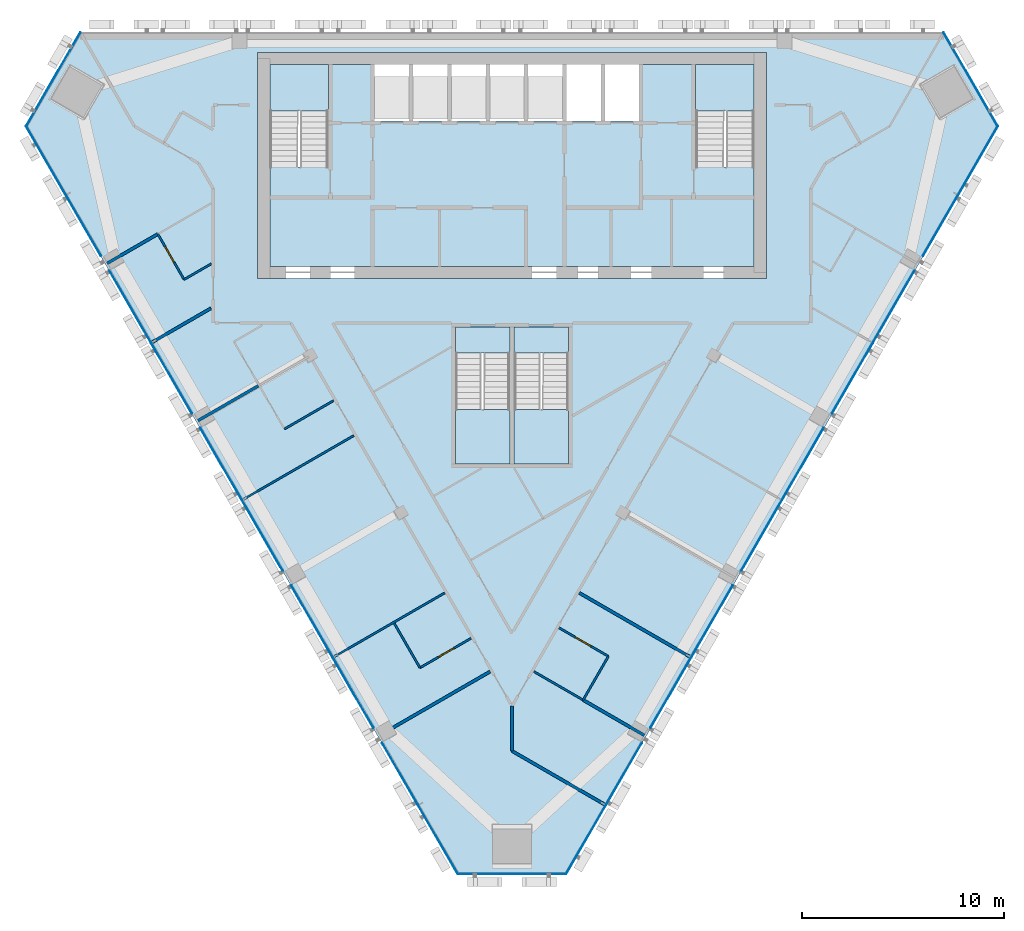
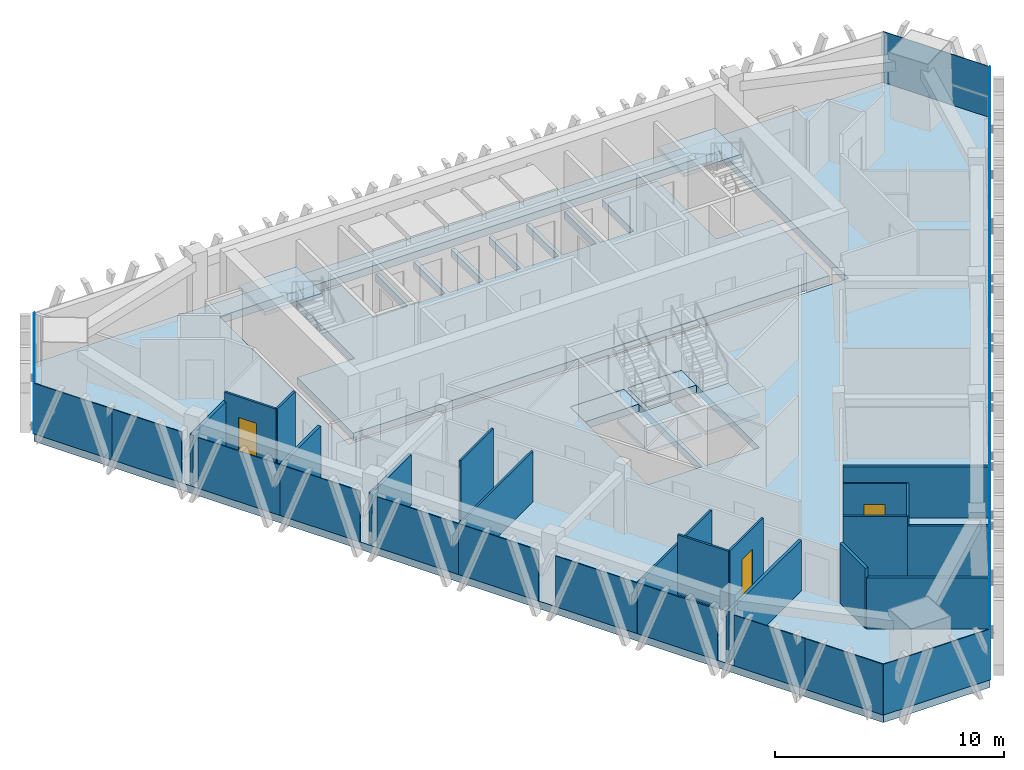
# One storey, part 7 of 14: 23 plates, 18 walls, 8 slabs, 3 doors, 3 openings, 9 elements without a shape of their own.
"""IFC4 building model written with IfcOpenShell, lengths in metres."""

from ifc_helpers import new_model, si_unit, direction, frame, frame_2d, origin, origin_2d, place, context, subcontext, project, spatial, polyline, rectangle, outline, extrude, material, layer, layer_set, type_object, element, fill, aggregate, save


model = new_model("IFC4")

# Units and contexts
model_context = context("Model", 3, precision=1e-05, world=origin(), true_north=direction((0.0, 1.0)))
body_context = subcontext(model_context, "Body", "Model", "MODEL_VIEW")
ifc_project = project(units=[si_unit("LENGTHUNIT", "METRE"), si_unit("AREAUNIT", "SQUARE_METRE"), si_unit("VOLUMEUNIT", "CUBIC_METRE"), si_unit("PLANEANGLEUNIT", "RADIAN"), si_unit("MASSUNIT", "GRAM", prefix="KILO")], contexts=[model_context])

# Site, building, storey
site_placement = place(None, origin())
site = spatial("IfcSite", under=ifc_project, at=site_placement, CompositionType="ELEMENT")
building_placement = place(site_placement, origin())
building = spatial("IfcBuilding", under=site, at=building_placement, Name="Altiplano Prism Tower", CompositionType="ELEMENT")
storey_placement = place(building_placement, frame((0.0, 0.0, 242.800048828125)))
storey = spatial("IfcBuildingStorey", under=building, at=storey_placement, Name="L62", CompositionType="ELEMENT", Elevation=242.800048828125)

# Curtain wall, plate
ifc_material_1 = material(Name="Aluminium and glass", Category="aluminium")
ifc_layer_1 = layer(ifc_material_1, 0.280029296875)
ifc_layer_set_1 = layer_set([ifc_layer_1], Name="Aluminium and glass")
curtain_wall_type = type_object("IfcCurtainWallType", Name="CW1 typical co-living unitised curtain wall", PredefinedType="NOTDEFINED", material=ifc_layer_set_1)
curtain_wall_1_placement = place(storey_placement, origin())
curtain_wall_1 = element("IfcCurtainWall", 1, at=curtain_wall_1_placement, inside=storey, type_object=curtain_wall_type, Name="CW1 curtain wall north-west chamfer L62", PredefinedType="NOTDEFINED")
ifc_material_2 = material(Name="Clear glass", Category="glass")
ifc_layer_2 = layer(ifc_material_2, 0.0400390625)
ifc_layer_set_2 = layer_set([ifc_layer_2], Name="Clear glass")
plate_type = type_object("IfcPlateType", Name="CW1 insulated glass unit 40", PredefinedType="CURTAIN_PANEL", material=ifc_layer_set_2)
plate_1_placement = place(storey_placement, frame((62.273681640625, 102.65771484375, 0.0), z_axis=(0.0, 0.0, 1.0), x_axis=(-0.500000014359, -0.866025395494, 0.0)))
plate_1 = element("IfcPlate", 2, at=plate_1_placement, type_object=plate_type, Name="CW1 panel", PredefinedType="CURTAIN_PANEL", context=body_context, shape_type="SweptSolid", body=[
    extrude(rectangle(XDim=5.3759765625, YDim=0.0400390625, at=origin_2d()), origin(), (0.0, 0.0, 1.0), 2.699951171875),
])
aggregate(curtain_wall_1, [plate_1])

# Curtain wall, plates
curtain_wall_2_placement = place(storey_placement, origin())
curtain_wall_2 = element("IfcCurtainWall", 3, at=curtain_wall_2_placement, inside=storey, type_object=curtain_wall_type, Name="CW1 curtain wall south-west face L62", PredefinedType="NOTDEFINED")
plate_2_placement = place(storey_placement, frame((61.914306640625, 98.6357421875, 0.0), z_axis=(0.0, 0.0, 1.0), x_axis=(0.500000003718, -0.866025401638, 0.0)))
plate_2 = element("IfcPlate", 4, at=plate_2_placement, type_object=plate_type, Name="CW1 panel", PredefinedType="CURTAIN_PANEL", context=body_context, shape_type="SweptSolid", body=[
    extrude(rectangle(XDim=3.9384765625, YDim=0.0400390625, at=origin_2d()), origin(), (0.0, 0.0, 1.0), 2.699951171875),
])
plate_3_placement = place(storey_placement, frame((63.77490234375, 95.4130859375, 0.0), z_axis=(0.0, 0.0, 1.0), x_axis=(0.500000003718, -0.866025401638, 0.0)))
plate_3 = element("IfcPlate", 5, at=plate_3_placement, type_object=plate_type, Name="CW1 panel", PredefinedType="CURTAIN_PANEL", context=body_context, shape_type="SweptSolid", body=[
    extrude(rectangle(XDim=3.484130859375, YDim=0.0400390625, at=origin_2d()), origin(), (0.0, 0.0, 1.0), 2.699951171875),
])
plate_4_placement = place(storey_placement, frame((66.0947265625, 91.395263671875, 0.0), z_axis=(0.0, 0.0, 1.0), x_axis=(0.500000003718, -0.866025401638, 0.0)))
plate_4 = element("IfcPlate", 6, at=plate_4_placement, type_object=plate_type, Name="CW1 panel", PredefinedType="CURTAIN_PANEL", context=body_context, shape_type="SweptSolid", body=[
    extrude(rectangle(XDim=4.114501953125, YDim=0.0400390625, at=origin_2d()), origin(), (0.0, 0.0, 1.0), 2.699951171875),
])
plate_5_placement = place(storey_placement, frame((68.136962890625, 87.857666015625, 0.0), z_axis=(0.0, 0.0, 1.0), x_axis=(0.500000003718, -0.866025401638, 0.0)))
plate_5 = element("IfcPlate", 7, at=plate_5_placement, type_object=plate_type, Name="CW1 panel", PredefinedType="CURTAIN_PANEL", context=body_context, shape_type="SweptSolid", body=[
    extrude(rectangle(XDim=4.035400390625, YDim=0.0400390625, at=origin_2d()), origin(), (0.0, 0.0, 1.0), 2.699951171875),
])
plate_6_placement = place(storey_placement, frame((70.5947265625, 83.60107421875, 0.0), z_axis=(0.0, 0.0, 1.0), x_axis=(0.500000003718, -0.866025401638, 0.0)))
plate_6 = element("IfcPlate", 8, at=plate_6_placement, type_object=plate_type, Name="CW1 panel", PredefinedType="CURTAIN_PANEL", context=body_context, shape_type="SweptSolid", body=[
    extrude(rectangle(XDim=4.114501953125, YDim=0.0400390625, at=origin_2d()), origin(), (0.0, 0.0, 1.0), 2.699951171875),
])
plate_7_placement = place(storey_placement, frame((72.636962890625, 80.063232421875, 0.0), z_axis=(0.0, 0.0, 1.0), x_axis=(0.500000003718, -0.866025401638, 0.0)))
plate_7 = element("IfcPlate", 9, at=plate_7_placement, type_object=plate_type, Name="CW1 panel", PredefinedType="CURTAIN_PANEL", context=body_context, shape_type="SweptSolid", body=[
    extrude(rectangle(XDim=4.035400390625, YDim=0.0400390625, at=origin_2d()), origin(), (0.0, 0.0, 1.0), 2.699951171875),
])
plate_8_placement = place(storey_placement, frame((75.0947265625, 75.806884765625, 0.0), z_axis=(0.0, 0.0, 1.0), x_axis=(0.500000003718, -0.866025401638, 0.0)))
plate_8 = element("IfcPlate", 10, at=plate_8_placement, type_object=plate_type, Name="CW1 panel", PredefinedType="CURTAIN_PANEL", context=body_context, shape_type="SweptSolid", body=[
    extrude(rectangle(XDim=4.114501953125, YDim=0.0400390625, at=origin_2d()), origin(), (0.0, 0.0, 1.0), 2.699951171875),
])
plate_9_placement = place(storey_placement, frame((77.136962890625, 72.26904296875, 0.0), z_axis=(0.0, 0.0, 1.0), x_axis=(0.500000003718, -0.866025401638, 0.0)))
plate_9 = element("IfcPlate", 11, at=plate_9_placement, type_object=plate_type, Name="CW1 panel", PredefinedType="CURTAIN_PANEL", context=body_context, shape_type="SweptSolid", body=[
    extrude(rectangle(XDim=4.035400390625, YDim=0.0400390625, at=origin_2d()), origin(), (0.0, 0.0, 1.0), 2.699951171875),
])
plate_10_placement = place(storey_placement, frame((79.456787109375, 68.251220703125, 0.0), z_axis=(0.0, 0.0, 1.0), x_axis=(0.500000003718, -0.866025401638, 0.0)))
plate_10 = element("IfcPlate", 12, at=plate_10_placement, type_object=plate_type, Name="CW1 panel", PredefinedType="CURTAIN_PANEL", context=body_context, shape_type="SweptSolid", body=[
    extrude(rectangle(XDim=3.56298828125, YDim=0.0400390625, at=origin_2d()), origin(), (0.0, 0.0, 1.0), 2.699951171875),
])
plate_11_placement = place(storey_placement, frame((81.337158203125, 64.994384765625, 0.0), z_axis=(0.0, 0.0, 1.0), x_axis=(0.500000003718, -0.866025401638, 0.0)))
plate_11 = element("IfcPlate", 13, at=plate_11_placement, type_object=plate_type, Name="CW1 panel", PredefinedType="CURTAIN_PANEL", context=body_context, shape_type="SweptSolid", body=[
    extrude(rectangle(XDim=3.9384765625, YDim=0.0400390625, at=origin_2d()), origin(), (0.0, 0.0, 1.0), 2.699951171875),
])
aggregate(curtain_wall_2, [plate_2, plate_3, plate_4, plate_5, plate_6, plate_7, plate_8, plate_9, plate_10, plate_11])

# Curtain wall, plate
curtain_wall_3_placement = place(storey_placement, origin())
curtain_wall_3 = element("IfcCurtainWall", 14, at=curtain_wall_3_placement, inside=storey, type_object=curtain_wall_type, Name="CW1 curtain wall south chamfer L62", PredefinedType="NOTDEFINED")
plate_12_placement = place(storey_placement, frame((85.0, 63.294677734375, 0.0), z_axis=(0.0, 0.0, 1.0), x_axis=(1.0, 0.0, 0.0)))
plate_12 = element("IfcPlate", 15, at=plate_12_placement, type_object=plate_type, Name="CW1 panel", PredefinedType="CURTAIN_PANEL", context=body_context, shape_type="SweptSolid", body=[
    extrude(rectangle(XDim=5.3759765625, YDim=0.0400390625, at=origin_2d()), origin(), (0.0, 0.0, 1.0), 2.699951171875),
])
aggregate(curtain_wall_3, [plate_12])

# Curtain wall, plates
curtain_wall_4_placement = place(storey_placement, origin())
curtain_wall_4 = element("IfcCurtainWall", 16, at=curtain_wall_4_placement, inside=storey, type_object=curtain_wall_type, Name="CW1 curtain wall south-east face L62", PredefinedType="NOTDEFINED")
plate_13_placement = place(storey_placement, frame((88.662841796875, 64.994384765625, 0.0), z_axis=(0.0, 0.0, 1.0), x_axis=(0.500000003718, 0.866025401638, 0.0)))
plate_13 = element("IfcPlate", 17, at=plate_13_placement, type_object=plate_type, Name="CW1 panel", PredefinedType="CURTAIN_PANEL", context=body_context, shape_type="SweptSolid", body=[
    extrude(rectangle(XDim=3.9384765625, YDim=0.0400390625, at=origin_2d()), origin(), (0.0, 0.0, 1.0), 2.699951171875),
])
plate_14_placement = place(storey_placement, frame((90.543212890625, 68.251220703125, 0.0), z_axis=(0.0, 0.0, 1.0), x_axis=(0.500000003718, 0.866025401638, 0.0)))
plate_14 = element("IfcPlate", 18, at=plate_14_placement, type_object=plate_type, Name="CW1 panel", PredefinedType="CURTAIN_PANEL", context=body_context, shape_type="SweptSolid", body=[
    extrude(rectangle(XDim=3.56298828125, YDim=0.0400390625, at=origin_2d()), origin(), (0.0, 0.0, 1.0), 2.699951171875),
])
plate_15_placement = place(storey_placement, frame((92.863037109375, 72.26904296875, 0.0), z_axis=(0.0, 0.0, 1.0), x_axis=(0.500000003718, 0.866025401638, 0.0)))
plate_15 = element("IfcPlate", 19, at=plate_15_placement, type_object=plate_type, Name="CW1 panel", PredefinedType="CURTAIN_PANEL", context=body_context, shape_type="SweptSolid", body=[
    extrude(rectangle(XDim=4.035400390625, YDim=0.0400390625, at=origin_2d()), origin(), (0.0, 0.0, 1.0), 2.699951171875),
])
plate_16_placement = place(storey_placement, frame((94.9052734375, 75.806884765625, 0.0), z_axis=(0.0, 0.0, 1.0), x_axis=(0.500000003718, 0.866025401638, 0.0)))
plate_16 = element("IfcPlate", 20, at=plate_16_placement, type_object=plate_type, Name="CW1 panel", PredefinedType="CURTAIN_PANEL", context=body_context, shape_type="SweptSolid", body=[
    extrude(rectangle(XDim=4.114501953125, YDim=0.0400390625, at=origin_2d()), origin(), (0.0, 0.0, 1.0), 2.699951171875),
])
plate_17_placement = place(storey_placement, frame((97.363037109375, 80.063232421875, 0.0), z_axis=(0.0, 0.0, 1.0), x_axis=(0.500000003718, 0.866025401638, 0.0)))
plate_17 = element("IfcPlate", 21, at=plate_17_placement, type_object=plate_type, Name="CW1 panel", PredefinedType="CURTAIN_PANEL", context=body_context, shape_type="SweptSolid", body=[
    extrude(rectangle(XDim=4.035400390625, YDim=0.0400390625, at=origin_2d()), origin(), (0.0, 0.0, 1.0), 2.699951171875),
])
plate_18_placement = place(storey_placement, frame((99.4052734375, 83.60107421875, 0.0), z_axis=(0.0, 0.0, 1.0), x_axis=(0.500000003718, 0.866025401638, 0.0)))
plate_18 = element("IfcPlate", 22, at=plate_18_placement, type_object=plate_type, Name="CW1 panel", PredefinedType="CURTAIN_PANEL", context=body_context, shape_type="SweptSolid", body=[
    extrude(rectangle(XDim=4.114501953125, YDim=0.0400390625, at=origin_2d()), origin(), (0.0, 0.0, 1.0), 2.699951171875),
])
plate_19_placement = place(storey_placement, frame((101.863037109375, 87.857666015625, 0.0), z_axis=(0.0, 0.0, 1.0), x_axis=(0.500000003718, 0.866025401638, 0.0)))
plate_19 = element("IfcPlate", 23, at=plate_19_placement, type_object=plate_type, Name="CW1 panel", PredefinedType="CURTAIN_PANEL", context=body_context, shape_type="SweptSolid", body=[
    extrude(rectangle(XDim=4.035400390625, YDim=0.0400390625, at=origin_2d()), origin(), (0.0, 0.0, 1.0), 2.699951171875),
])
plate_20_placement = place(storey_placement, frame((103.9052734375, 91.395263671875, 0.0), z_axis=(0.0, 0.0, 1.0), x_axis=(0.500000003718, 0.866025401638, 0.0)))
plate_20 = element("IfcPlate", 24, at=plate_20_placement, type_object=plate_type, Name="CW1 panel", PredefinedType="CURTAIN_PANEL", context=body_context, shape_type="SweptSolid", body=[
    extrude(rectangle(XDim=4.114501953125, YDim=0.0400390625, at=origin_2d()), origin(), (0.0, 0.0, 1.0), 2.699951171875),
])
plate_21_placement = place(storey_placement, frame((106.22509765625, 95.4130859375, 0.0), z_axis=(0.0, 0.0, 1.0), x_axis=(0.500000003718, 0.866025401638, 0.0)))
plate_21 = element("IfcPlate", 25, at=plate_21_placement, type_object=plate_type, Name="CW1 panel", PredefinedType="CURTAIN_PANEL", context=body_context, shape_type="SweptSolid", body=[
    extrude(rectangle(XDim=3.484130859375, YDim=0.0400390625, at=origin_2d()), origin(), (0.0, 0.0, 1.0), 2.699951171875),
])
plate_22_placement = place(storey_placement, frame((108.085693359375, 98.6357421875, 0.0), z_axis=(0.0, 0.0, 1.0), x_axis=(0.500000003718, 0.866025401638, 0.0)))
plate_22 = element("IfcPlate", 26, at=plate_22_placement, type_object=plate_type, Name="CW1 panel", PredefinedType="CURTAIN_PANEL", context=body_context, shape_type="SweptSolid", body=[
    extrude(rectangle(XDim=3.9384765625, YDim=0.0400390625, at=origin_2d()), origin(), (0.0, 0.0, 1.0), 2.699951171875),
])
aggregate(curtain_wall_4, [plate_13, plate_14, plate_15, plate_16, plate_17, plate_18, plate_19, plate_20, plate_21, plate_22])

# Curtain wall, plate
curtain_wall_5_placement = place(storey_placement, origin())
curtain_wall_5 = element("IfcCurtainWall", 27, at=curtain_wall_5_placement, inside=storey, type_object=curtain_wall_type, Name="CW1 curtain wall north-east chamfer L62", PredefinedType="NOTDEFINED")
plate_23_placement = place(storey_placement, frame((107.726318359375, 102.65771484375, 0.0), z_axis=(0.0, 0.0, 1.0), x_axis=(-0.500000014359, 0.866025395494, 0.0)))
plate_23 = element("IfcPlate", 28, at=plate_23_placement, type_object=plate_type, Name="CW1 panel", PredefinedType="CURTAIN_PANEL", context=body_context, shape_type="SweptSolid", body=[
    extrude(rectangle(XDim=5.3759765625, YDim=0.0400390625, at=origin_2d()), origin(), (0.0, 0.0, 1.0), 2.699951171875),
])
aggregate(curtain_wall_5, [plate_23])

# Slabs
ifc_material_3 = material(Name="Concrete C40/50", Category="concrete")
ifc_layer_3 = layer(ifc_material_3, 0.39990234375)
ifc_layer_set_3 = layer_set([ifc_layer_3], Name="Concrete C40/50")
slab_type_1 = type_object("IfcSlabType", Name="Core floor slab 400", PredefinedType="FLOOR", material=ifc_layer_set_3)
slab_1_placement = place(storey_placement, frame((0.0, 0.0, -0.400146484375)))
element("IfcSlab", 29, at=slab_1_placement, inside=storey, type_object=slab_type_1, Name="Core floor slab L62", PredefinedType="FLOOR", context=body_context, shape_type="SweptSolid", body=[
    extrude(outline(polyline([(97.0, 98.31005859375), (94.10009765625, 98.31005859375), (94.10009765625, 103.39990234375), (91.300048828125, 103.39990234375), (91.300048828125, 100.60009765625), (89.60009765625, 100.60009765625), (89.60009765625, 103.39990234375), (89.39990234375, 103.39990234375), (89.39990234375, 100.60009765625), (87.699951171875, 100.60009765625), (87.699951171875, 103.39990234375), (87.5, 103.39990234375), (87.5, 100.60009765625), (85.800048828125, 100.60009765625), (85.800048828125, 103.39990234375), (85.60009765625, 103.39990234375), (85.60009765625, 100.60009765625), (83.89990234375, 100.60009765625), (83.89990234375, 103.39990234375), (83.699951171875, 103.39990234375), (83.699951171875, 100.60009765625), (82.0, 100.60009765625), (82.0, 103.39990234375), (81.800048828125, 103.39990234375), (81.800048828125, 100.60009765625), (80.10009765625, 100.60009765625), (80.10009765625, 103.39990234375), (79.89990234375, 103.39990234375), (79.89990234375, 100.60009765625), (78.199951171875, 100.60009765625), (78.199951171875, 103.39990234375), (75.89990234375, 103.39990234375), (75.89990234375, 98.31005859375), (73.0, 98.31005859375), (73.0, 93.39990234375), (97.0, 93.39990234375), (97.0, 98.31005859375)])), origin(), (0.0, 0.0, 1.0), 0.400146484375),
])
slab_2_placement = place(storey_placement, frame((0.0, 0.0, -0.400146484375)))
element("IfcSlab", 30, at=slab_2_placement, inside=storey, type_object=slab_type_1, Name="Stair 3A landing slab L62", PredefinedType="FLOOR", context=body_context, shape_type="SweptSolid", body=[
    extrude(outline(polyline([(82.199951171875, 89.096923828125), (84.89990234375, 89.096923828125), (84.89990234375, 90.39990234375), (82.199951171875, 90.39990234375), (82.199951171875, 89.096923828125)])), origin(), (0.0, 0.0, 1.0), 0.400146484375),
])
slab_3_placement = place(storey_placement, frame((0.0, 0.0, -0.400146484375)))
element("IfcSlab", 31, at=slab_3_placement, inside=storey, type_object=slab_type_1, Name="Stair 3B landing slab L62", PredefinedType="FLOOR", context=body_context, shape_type="SweptSolid", body=[
    extrude(outline(polyline([(85.10009765625, 89.096923828125), (87.800048828125, 89.096923828125), (87.800048828125, 90.39990234375), (85.10009765625, 90.39990234375), (85.10009765625, 89.096923828125)])), origin(), (0.0, 0.0, 1.0), 0.400146484375),
])
ifc_layer_4 = layer(ifc_material_3, 0.39990234375)
ifc_layer_set_4 = layer_set([ifc_layer_4], Name="Concrete C40/50")
slab_type_2 = type_object("IfcSlabType", Name="Post-tensioned flat slab 400", PredefinedType="FLOOR", material=ifc_layer_set_4)
slab_4_placement = place(storey_placement, frame((0.0, 0.0, -0.400146484375)))
element("IfcSlab", 32, at=slab_4_placement, inside=storey, type_object=slab_type_2, Name="Floor slab L62", PredefinedType="FLOOR", context=body_context, shape_type="SweptSolid", body=[
    extrude(outline(polyline([(82.306884765625, 63.274658203125), (60.909912109375, 100.33544921875), (63.602783203125, 105.0), (106.397216796875, 105.0), (109.090087890625, 100.33544921875), (87.693115234375, 63.274658203125), (82.306884765625, 63.274658203125)]), holes=[polyline([(72.39990234375, 104.0), (72.39990234375, 92.800048828125), (97.60009765625, 92.800048828125), (97.60009765625, 104.0), (72.39990234375, 104.0)]), polyline([(84.89990234375, 90.39990234375), (82.199951171875, 90.39990234375), (82.199951171875, 83.60009765625), (84.89990234375, 83.60009765625), (84.89990234375, 90.39990234375)]), polyline([(87.800048828125, 83.60009765625), (87.800048828125, 90.39990234375), (85.10009765625, 90.39990234375), (85.10009765625, 83.60009765625), (87.800048828125, 83.60009765625)])]), origin(), (0.0, 0.0, 1.0), 0.400146484375),
])

# Stair, slab
stair_type_1 = type_object("IfcStairType", Name="Exit stair 1400", PredefinedType="HALF_TURN_STAIR", material=ifc_material_3)
stair_1_placement = place(storey_placement, origin())
stair_1 = element("IfcStair", 33, at=stair_1_placement, inside=storey, type_object=stair_type_1, Name="L62 Exit Stair 1", PredefinedType="HALF_TURN_STAIR")
ifc_layer_5 = layer(ifc_material_3, 0.199951171875)
ifc_layer_set_5 = layer_set([ifc_layer_5], Name="Concrete C40/50")
slab_type_3 = type_object("IfcSlabType", Name="Stair landing 200", PredefinedType="LANDING", material=ifc_layer_set_5)
slab_5_placement = place(storey_placement, frame((0.0, 0.0, 1.599853515625)))
slab_5 = element("IfcSlab", 34, at=slab_5_placement, type_object=slab_type_3, Name="ST1 landing 1", PredefinedType="LANDING", context=body_context, shape_type="SweptSolid", body=[
    extrude(outline(polyline([(75.89990234375, 101.096923828125), (75.89990234375, 103.39990234375), (73.0, 103.39990234375), (73.0, 101.096923828125), (75.89990234375, 101.096923828125)])), origin(), (0.0, 0.0, 1.0), 0.2001953125),
])
aggregate(stair_1, [slab_5])

stair_2_placement = place(storey_placement, origin())
stair_2 = element("IfcStair", 35, at=stair_2_placement, inside=storey, type_object=stair_type_1, Name="L62 Exit Stair 2", PredefinedType="HALF_TURN_STAIR")
slab_6_placement = place(storey_placement, frame((0.0, 0.0, 1.599853515625)))
slab_6 = element("IfcSlab", 36, at=slab_6_placement, type_object=slab_type_3, Name="ST2 landing 1", PredefinedType="LANDING", context=body_context, shape_type="SweptSolid", body=[
    extrude(outline(polyline([(97.0, 101.096923828125), (97.0, 103.39990234375), (94.10009765625, 103.39990234375), (94.10009765625, 101.096923828125), (97.0, 101.096923828125)])), origin(), (0.0, 0.0, 1.0), 0.2001953125),
])
aggregate(stair_2, [slab_6])

stair_type_2 = type_object("IfcStairType", Name="Exit stair 1300", PredefinedType="HALF_TURN_STAIR", material=ifc_material_3)
stair_3_placement = place(storey_placement, origin())
stair_3 = element("IfcStair", 37, at=stair_3_placement, inside=storey, type_object=stair_type_2, Name="L62 Exit Stair 3A", PredefinedType="HALF_TURN_STAIR")
slab_7_placement = place(storey_placement, frame((0.0, 0.0, 1.599853515625)))
slab_7 = element("IfcSlab", 38, at=slab_7_placement, type_object=slab_type_3, Name="ST3A landing 1", PredefinedType="LANDING", context=body_context, shape_type="SweptSolid", body=[
    extrude(outline(polyline([(82.199951171875, 86.302978515625), (82.199951171875, 83.60009765625), (84.89990234375, 83.60009765625), (84.89990234375, 86.302978515625), (82.199951171875, 86.302978515625)])), origin(), (0.0, 0.0, 1.0), 0.2001953125),
])
aggregate(stair_3, [slab_7])

stair_4_placement = place(storey_placement, origin())
stair_4 = element("IfcStair", 39, at=stair_4_placement, inside=storey, type_object=stair_type_2, Name="L62 Exit Stair 3B", PredefinedType="HALF_TURN_STAIR")
slab_8_placement = place(storey_placement, frame((0.0, 0.0, 1.599853515625)))
slab_8 = element("IfcSlab", 40, at=slab_8_placement, type_object=slab_type_3, Name="ST3B landing 1", PredefinedType="LANDING", context=body_context, shape_type="SweptSolid", body=[
    extrude(outline(polyline([(85.10009765625, 86.302978515625), (85.10009765625, 83.60009765625), (87.800048828125, 83.60009765625), (87.800048828125, 86.302978515625), (85.10009765625, 86.302978515625)])), origin(), (0.0, 0.0, 1.0), 0.2001953125),
])
aggregate(stair_4, [slab_8])

# Wall
ifc_material_4 = material(Name="Plasterboard on steel stud", Category="steel")
ifc_layer_6 = layer(ifc_material_4, 0.10009765625)
ifc_layer_set_6 = layer_set([ifc_layer_6], Name="Plasterboard on steel stud")
wall_type_1 = type_object("IfcWallType", Name="Partition 100 unit", PredefinedType="PARTITIONING", material=ifc_layer_set_6)
wall_1_placement = place(storey_placement, frame((70.10009765625, 93.5205078125, 0.0), z_axis=(0.0, 0.0, 1.0), x_axis=(-0.865968060302, -0.500099308675, 0.0)))
element("IfcWall", 41, at=wall_1_placement, inside=storey, type_object=wall_type_1, Name="Partition P02 L62 033", PredefinedType="PARTITIONING", context=body_context, shape_type="SweptSolid", body=[
    extrude(rectangle(XDim=1.551513671875, YDim=0.10009765625, at=frame_2d((0.77587890625, 0.0))), origin(), (0.0, 0.0, 1.0), 3.199951171875),
])

# Wall, opening, door
wall_2_placement = place(storey_placement, frame((68.756591796875, 92.74462890625, 0.0), z_axis=(0.0, 0.0, 1.0), x_axis=(-0.500006934395, 0.866021400173, 0.0)))
wall_2 = element("IfcWall", 42, at=wall_2_placement, inside=storey, type_object=wall_type_1, Name="Partition P02 L62 034", PredefinedType="PARTITIONING", context=body_context, shape_type="SweptSolid", body=[
    extrude(rectangle(XDim=2.60009765625, YDim=0.10009765625, at=frame_2d((1.300048828125, 0.0))), origin(), (0.0, 0.0, 1.0), 3.199951171875),
])
opening_1_placement = place(wall_2_placement, frame((0.985107421875, 0.0, 0.0)))
opening_1 = element("IfcOpeningElement", 43, at=opening_1_placement, cuts=wall_2, Name="Opening D2025", PredefinedType="OPENING", context=body_context, shape_type="SweptSolid", body=[
    extrude(rectangle(XDim=0.89990234375, YDim=2.10009765625, at=frame_2d((0.449951171875, 1.050048828125))), frame((0.0, 0.060546875, 0.0), z_axis=(0.0, -1.0, 0.0), x_axis=(1.0, 0.0, 0.0)), (0.0, 0.0, 1.0), 0.12109375),
])
ifc_material_5 = material(Name="Timber", Category="wood")
door_type_1 = type_object("IfcDoorType", Name="Accessible ensuite door 900 x 2100", OperationType="NOTDEFINED", PredefinedType="NOTDEFINED", material=ifc_material_5)
door_1_placement = place(opening_1_placement, origin())
door_1 = element("IfcDoor", 44, at=door_1_placement, inside=storey, type_object=door_type_1, Name="Door D2025", OperationType="SINGLE_SWING_LEFT", OverallHeight=2.10009765625, OverallWidth=0.89990234375, PredefinedType="NOTDEFINED", context=body_context, shape_type="SweptSolid", body=[
    extrude(rectangle(XDim=0.89990234375, YDim=2.10009765625, at=frame_2d((0.449951171875, 1.050048828125))), frame((0.0, 0.02490234375, 0.0), z_axis=(0.0, -1.0, 0.0), x_axis=(1.0, 0.0, 0.0)), (0.0, 0.0, 1.0), 0.050048828125),
])
fill(opening_1, door_1)

# Wall
wall_3_placement = place(storey_placement, frame((76.172607421875, 86.74951171875, 0.0), z_axis=(0.0, 0.0, 1.0), x_axis=(-0.866048868473, -0.499959355765, 0.0)))
element("IfcWall", 45, at=wall_3_placement, inside=storey, type_object=wall_type_1, Name="Partition P02 L62 040", PredefinedType="PARTITIONING", context=body_context, shape_type="SweptSolid", body=[
    extrude(rectangle(XDim=2.824951171875, YDim=0.10009765625, at=frame_2d((1.41259765625, 0.0))), origin(), (0.0, 0.0, 1.0), 3.199951171875),
])

# Wall, opening, door
wall_4_placement = place(storey_placement, frame((82.97265625, 74.9716796875, 0.0), z_axis=(0.0, 0.0, 1.0), x_axis=(-0.866046596414, -0.499963291492, 0.0)))
wall_4 = element("IfcWall", 46, at=wall_4_placement, inside=storey, type_object=wall_type_1, Name="Partition P02 L62 043", PredefinedType="PARTITIONING", context=body_context, shape_type="SweptSolid", body=[
    extrude(rectangle(XDim=2.925048828125, YDim=0.10009765625, at=frame_2d((1.46240234375, 0.0))), origin(), (0.0, 0.0, 1.0), 3.199951171875),
])
opening_2_placement = place(wall_4_placement, frame((0.97509765625, 0.0, 0.0)))
opening_2 = element("IfcOpeningElement", 47, at=opening_2_placement, cuts=wall_4, Name="Opening D2032", PredefinedType="OPENING", context=body_context, shape_type="SweptSolid", body=[
    extrude(rectangle(XDim=0.89990234375, YDim=2.10009765625, at=frame_2d((0.449951171875, 1.050048828125))), frame((0.0, 0.060546875, 0.0), z_axis=(0.0, -1.0, 0.0), x_axis=(1.0, 0.0, 0.0)), (0.0, 0.0, 1.0), 0.12109375),
])
door_type_2 = type_object("IfcDoorType", Name="Ensuite door 900 x 2100", OperationType="NOTDEFINED", PredefinedType="NOTDEFINED", material=ifc_material_5)
door_2_placement = place(opening_2_placement, origin())
door_2 = element("IfcDoor", 48, at=door_2_placement, inside=storey, type_object=door_type_2, Name="Door D2032", OperationType="SINGLE_SWING_RIGHT", OverallHeight=2.10009765625, OverallWidth=0.89990234375, PredefinedType="NOTDEFINED", context=body_context, shape_type="SweptSolid", body=[
    extrude(rectangle(XDim=0.89990234375, YDim=2.10009765625, at=frame_2d((0.449951171875, 1.050048828125))), frame((0.0, 0.02490234375, 0.0), z_axis=(0.0, -1.0, 0.0), x_axis=(1.0, 0.0, 0.0)), (0.0, 0.0, 1.0), 0.050048828125),
])
fill(opening_2, door_2)

# Wall
wall_5_placement = place(storey_placement, frame((80.439453125, 73.50927734375, 0.0), z_axis=(0.0, 0.0, 1.0), x_axis=(-0.499990435942, 0.866030925526, 0.0)))
element("IfcWall", 49, at=wall_5_placement, inside=storey, type_object=wall_type_1, Name="Partition P02 L62 044", PredefinedType="PARTITIONING", context=body_context, shape_type="SweptSolid", body=[
    extrude(rectangle(XDim=2.5498046875, YDim=0.10009765625, at=frame_2d((1.27490234375, 0.0))), origin(), (0.0, 0.0, 1.0), 3.199951171875),
])

# Wall, opening, door
wall_6_placement = place(storey_placement, frame((87.327392578125, 75.4912109375, 0.0), z_axis=(0.0, 0.0, 1.0), x_axis=(0.866048868473, -0.499959355765, 0.0)))
wall_6 = element("IfcWall", 50, at=wall_6_placement, inside=storey, type_object=wall_type_1, Name="Partition P02 L62 050", PredefinedType="PARTITIONING", context=body_context, shape_type="SweptSolid", body=[
    extrude(rectangle(XDim=2.824951171875, YDim=0.10009765625, at=frame_2d((1.41259765625, 0.0))), origin(), (0.0, 0.0, 1.0), 3.199951171875),
])
opening_3_placement = place(wall_6_placement, frame((0.925048828125, 0.0, 0.0)))
opening_3 = element("IfcOpeningElement", 51, at=opening_3_placement, cuts=wall_6, Name="Opening D2036", PredefinedType="OPENING", context=body_context, shape_type="SweptSolid", body=[
    extrude(rectangle(XDim=0.89990234375, YDim=2.10009765625, at=frame_2d((0.449951171875, 1.050048828125))), frame((0.0, 0.060546875, 0.0), z_axis=(0.0, -1.0, 0.0), x_axis=(1.0, 0.0, 0.0)), (0.0, 0.0, 1.0), 0.12109375),
])
door_3_placement = place(opening_3_placement, origin())
door_3 = element("IfcDoor", 52, at=door_3_placement, inside=storey, type_object=door_type_2, Name="Door D2036", OperationType="SINGLE_SWING_LEFT", OverallHeight=2.10009765625, OverallWidth=0.89990234375, PredefinedType="NOTDEFINED", context=body_context, shape_type="SweptSolid", body=[
    extrude(rectangle(XDim=0.89990234375, YDim=2.10009765625, at=frame_2d((0.449951171875, 1.050048828125))), frame((0.0, 0.02490234375, 0.0), z_axis=(0.0, -1.0, 0.0), x_axis=(1.0, 0.0, 0.0)), (0.0, 0.0, 1.0), 0.050048828125),
])
fill(opening_3, door_3)

# Walls
wall_7_placement = place(storey_placement, frame((89.77392578125, 74.078857421875, 0.0), z_axis=(0.0, 0.0, 1.0), x_axis=(-0.500004234368, -0.866022959057, 0.0)))
element("IfcWall", 53, at=wall_7_placement, inside=storey, type_object=wall_type_1, Name="Partition P02 L62 051", PredefinedType="PARTITIONING", context=body_context, shape_type="SweptSolid", body=[
    extrude(rectangle(XDim=2.5, YDim=0.10009765625, at=frame_2d((1.25, 0.0))), origin(), (0.0, 0.0, 1.0), 3.199951171875),
])
ifc_layer_7 = layer(ifc_material_4, 0.10009765625)
ifc_layer_set_7 = layer_set([ifc_layer_7], Name="Plasterboard on steel stud")
wall_type_2 = type_object("IfcWallType", Name="Partition 100 wet", PredefinedType="PARTITIONING", material=ifc_layer_set_7)
for number, where, z_axis, x_axis, name in (
    (54, (71.677490234375, 81.844970703125, 0.0), (0.0, 0.0, 1.0), (0.866025401434, 0.500000004071, 0.0), "Partition P03 L62 041"),
    (55, (76.177490234375, 74.05078125, 0.0), (0.0, 0.0, 1.0), (0.866025401434, 0.500000004071, 0.0), "Partition P03 L62 042"),
):
    element("IfcWall", number, at=place(storey_placement, frame(where, z_axis=z_axis, x_axis=x_axis)), inside=storey, type_object=wall_type_2, Name=name, PredefinedType="PARTITIONING", context=body_context, shape_type="SweptSolid", body=[
        extrude(rectangle(XDim=6.34521484375, YDim=0.10009765625, at=frame_2d((3.172607421875, 0.0))), origin(), (0.0, 0.0, 1.0), 2.699951171875),
    ])
wall_8_placement = place(storey_placement, frame((88.52392578125, 71.913818359375, 0.0), z_axis=(0.0, 0.0, 1.0), x_axis=(-0.866048868473, 0.499959355765, 0.0)))
element("IfcWall", 56, at=wall_8_placement, inside=storey, type_object=wall_type_2, Name="Partition P03 L62 049", PredefinedType="PARTITIONING", context=body_context, shape_type="SweptSolid", body=[
    extrude(rectangle(XDim=2.824951171875, YDim=0.10009765625, at=frame_2d((1.41259765625, 0.0))), origin(), (0.0, 0.0, 1.0), 3.199951171875),
])
ifc_layer_8 = layer(ifc_material_4, 0.14990234375)
ifc_layer_set_8 = layer_set([ifc_layer_8], Name="Plasterboard on steel stud")
wall_type_3 = type_object("IfcWallType", Name="Partition 150 party", PredefinedType="PARTITIONING", material=ifc_layer_set_8)
wall_9_placement = place(storey_placement, frame((64.945068359375, 93.54638671875, 0.0), z_axis=(0.0, 0.0, 1.0), x_axis=(0.866032775405, 0.499987231761, 0.0)))
element("IfcWall", 57, at=wall_9_placement, inside=storey, type_object=wall_type_3, Name="Partition P01 L62 029", PredefinedType="PARTITIONING", context=body_context, shape_type="SweptSolid", body=[
    extrude(rectangle(XDim=2.89990234375, YDim=0.14990234375, at=frame_2d((1.449951171875, 0.0))), origin(), (0.0, 0.0, 1.0), 2.699951171875),
])
wall_10_placement = place(storey_placement, frame((67.177490234375, 89.63916015625, 0.0), z_axis=(0.0, 0.0, 1.0), x_axis=(0.866007717299, 0.500030632641, 0.0)))
element("IfcWall", 58, at=wall_10_placement, inside=storey, type_object=wall_type_3, Name="Partition P01 L62 035", PredefinedType="PARTITIONING", context=body_context, shape_type="SweptSolid", body=[
    extrude(rectangle(XDim=3.360107421875, YDim=0.14990234375, at=frame_2d((1.68017578125, 0.0))), origin(), (0.0, 0.0, 1.0), 2.699951171875),
])
wall_11_placement = place(storey_placement, frame((69.445068359375, 85.752197265625, 0.0), z_axis=(0.0, 0.0, 1.0), x_axis=(0.866013532718, 0.500020560727, 0.0)))
element("IfcWall", 59, at=wall_11_placement, inside=storey, type_object=wall_type_3, Name="Partition P01 L62 038", PredefinedType="PARTITIONING", context=body_context, shape_type="SweptSolid", body=[
    extrude(rectangle(XDim=3.449951171875, YDim=0.14990234375, at=frame_2d((1.72509765625, 0.0))), origin(), (0.0, 0.0, 1.0), 2.699951171875),
])
wall_12_placement = place(storey_placement, frame((78.445068359375, 70.163818359375, 0.0), z_axis=(0.0, 0.0, 1.0), x_axis=(0.866032601554, 0.49998753289, 0.0)))
element("IfcWall", 60, at=wall_12_placement, inside=storey, type_object=wall_type_3, Name="Partition P01 L62 045", PredefinedType="PARTITIONING", context=body_context, shape_type="SweptSolid", body=[
    extrude(rectangle(XDim=6.324951171875, YDim=0.14990234375, at=frame_2d((3.16259765625, 0.0))), origin(), (0.0, 0.0, 1.0), 2.699951171875),
])
wall_13_placement = place(storey_placement, frame((89.59814453125, 66.734130859375, 0.0), z_axis=(0.0, 0.0, 1.0), x_axis=(-0.86602171968, 0.500006381002, 0.0)))
element("IfcWall", 61, at=wall_13_placement, inside=storey, type_object=wall_type_3, Name="Partition P01 L62 046", PredefinedType="PARTITIONING", context=body_context, shape_type="SweptSolid", body=[
    extrude(rectangle(XDim=5.3095703125, YDim=0.14990234375, at=frame_2d((2.65478515625, 0.0))), origin(), (0.0, 0.0, 1.0), 2.699951171875),
])
wall_14_placement = place(storey_placement, frame((85.0, 69.388916015625, 0.0), z_axis=(0.0, 0.0, 1.0), x_axis=(0.0, 1.0, 0.0)))
element("IfcWall", 62, at=wall_14_placement, inside=storey, type_object=wall_type_3, Name="Partition P01 L62 047", PredefinedType="PARTITIONING", context=body_context, shape_type="SweptSolid", body=[
    extrude(rectangle(XDim=2.22119140625, YDim=0.14990234375, at=frame_2d((1.110595703125, 0.0))), origin(), (0.0, 0.0, 1.0), 3.199951171875),
])
wall_15_placement = place(storey_placement, frame((91.554931640625, 70.163818359375, 0.0), z_axis=(0.0, 0.0, 1.0), x_axis=(-0.866019471182, 0.500010275428, 0.0)))
element("IfcWall", 63, at=wall_15_placement, inside=storey, type_object=wall_type_3, Name="Partition P01 L62 048", PredefinedType="PARTITIONING", context=body_context, shape_type="SweptSolid", body=[
    extrude(rectangle(XDim=3.5, YDim=0.14990234375, at=frame_2d((1.75, 0.0))), origin(), (0.0, 0.0, 1.0), 2.699951171875),
])
wall_16_placement = place(storey_placement, frame((93.822509765625, 74.05078125, 0.0), z_axis=(0.0, 0.0, 1.0), x_axis=(-0.866025401434, 0.500000004071, 0.0)))
element("IfcWall", 64, at=wall_16_placement, inside=storey, type_object=wall_type_3, Name="Partition P01 L62 052", PredefinedType="PARTITIONING", context=body_context, shape_type="SweptSolid", body=[
    extrude(rectangle(XDim=6.34521484375, YDim=0.14990234375, at=frame_2d((3.172607421875, 0.0))), origin(), (0.0, 0.0, 1.0), 2.699951171875),
])

save(model, "model.ifc")
